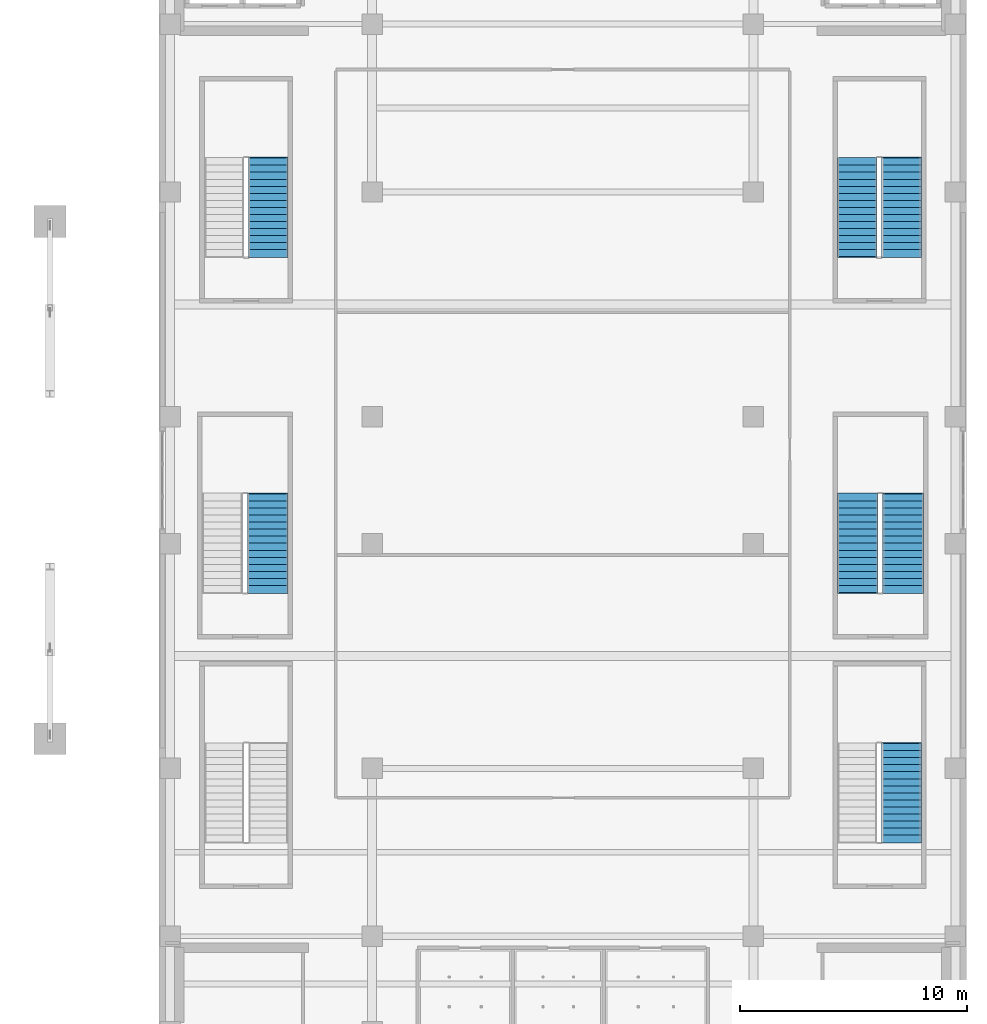
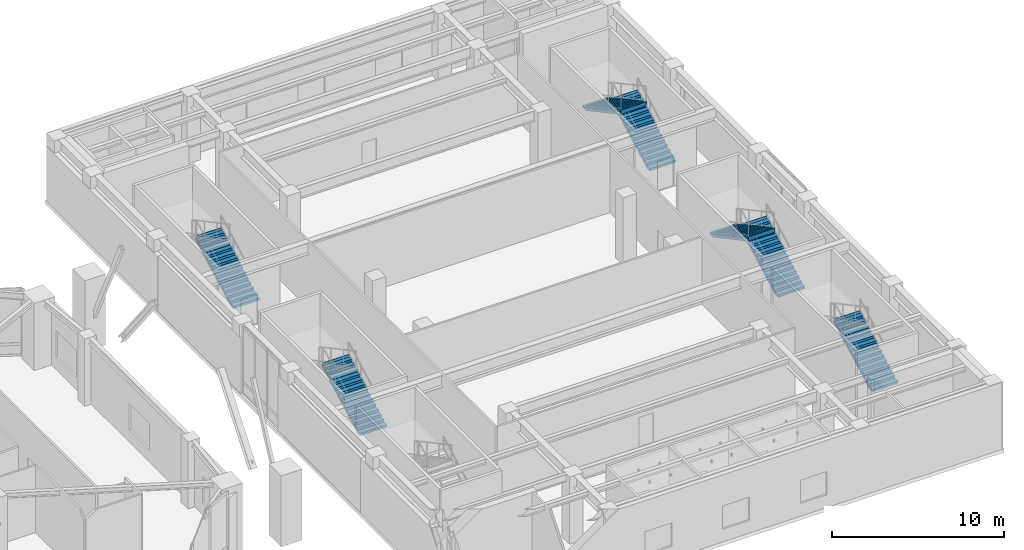
# One storey, part 20 of 24: 7 stair flights, 5 elements without a shape of their own.
"""IFC4 building model written with IfcOpenShell, lengths in metres."""

from ifc_helpers import new_model, si_unit, direction, frame, origin, place, context, subcontext, project, spatial, polyline, outline, extrude, material, type_object, element, aggregate, save


model = new_model("IFC4")

# Units and contexts
model_context = context("Model", 3, precision=1e-05, world=origin(), true_north=direction((0.0, 1.0)))
body_context = subcontext(model_context, "Body", "Model", "MODEL_VIEW")
ifc_project = project(units=[si_unit("LENGTHUNIT", "METRE"), si_unit("AREAUNIT", "SQUARE_METRE"), si_unit("VOLUMEUNIT", "CUBIC_METRE"), si_unit("PLANEANGLEUNIT", "RADIAN"), si_unit("MASSUNIT", "GRAM", prefix="KILO")], contexts=[model_context])

# Site, building, storey
site_placement = place(None, origin())
site = spatial("IfcSite", under=ifc_project, at=site_placement, CompositionType="ELEMENT")
building_placement = place(site_placement, origin())
building = spatial("IfcBuilding", under=site, at=building_placement, Name="Kolvaren Gate Tower and Convention Centre", CompositionType="ELEMENT")
storey_placement = place(building_placement, frame((0.0, 0.0, 10.0)))
storey = spatial("IfcBuildingStorey", under=building, at=storey_placement, Name="L02", CompositionType="ELEMENT", Elevation=10.0)

# Stair, stair flight
ifc_material = material(Name="Concrete C50/60", Category="concrete")
stair_type = type_object("IfcStairType", Name="STR-STAIR-CONV", PredefinedType="HALF_TURN_STAIR", material=ifc_material)
stair_1_placement = place(storey_placement, origin())
stair_1 = element("IfcStair", 1, at=stair_1_placement, inside=storey, type_object=stair_type, Name="L02 Convention NW Exit Stair ST-C1", PredefinedType="HALF_TURN_STAIR")
stair_flight_type = type_object("IfcStairFlightType", Name="STR-SFL-1750", PredefinedType="STRAIGHT", material=ifc_material)
stair_flight_1_placement = place(storey_placement, frame((67.02490234375, 36.85009765625, 0.0), z_axis=(0.0, 0.0, 1.0), x_axis=(0.0, 1.0, 0.0)))
stair_flight_1 = element("IfcStairFlight", 2, at=stair_flight_1_placement, type_object=stair_flight_type, Name="ST-C1 flight 1", NumberOfRisers=15, NumberOfTreads=14, PredefinedType="STRAIGHT", RiserHeight=0.166666667, TreadLength=0.31, context=body_context, shape_type="SweptSolid", body=[
    extrude(outline(polyline([(-0.034912109375, 0.0), (-0.034912109375, 0.166748046875), (0.31005859375, 0.166748046875), (0.31005859375, 0.333251953125), (0.6201171875, 0.333251953125), (0.6201171875, 0.5), (0.929931640625, 0.5), (0.929931640625, 0.666748046875), (1.239990234375, 0.666748046875), (1.239990234375, 0.833251953125), (1.550048828125, 0.833251953125), (1.550048828125, 1.0), (1.860107421875, 1.0), (1.860107421875, 1.166748046875), (2.169921875, 1.166748046875), (2.169921875, 1.333251953125), (2.47998046875, 1.333251953125), (2.47998046875, 1.5), (2.7900390625, 1.5), (2.7900390625, 1.666748046875), (3.10009765625, 1.666748046875), (3.10009765625, 1.833251953125), (3.409912109375, 1.833251953125), (3.409912109375, 2.0), (3.719970703125, 2.0), (3.719970703125, 2.166748046875), (4.030029296875, 2.166748046875), (4.030029296875, 2.333251953125), (4.340087890625, 2.333251953125), (4.340087890625, 2.5), (4.385009765625, 2.5), (4.385009765625, 2.340087890625), (4.340087890625, 2.1630859375), (0.316650390625, 0.0), (-0.034912109375, 0.0)])), frame((0.0, 0.875, 0.0), z_axis=(0.0, -1.0, 0.0), x_axis=(1.0, 0.0, 0.0)), (0.0, 0.0, 1.0), 1.75),
])
aggregate(stair_1, [stair_flight_1])

# Stair, stair flights
stair_2_placement = place(storey_placement, origin())
stair_2 = element("IfcStair", 3, at=stair_2_placement, inside=storey, type_object=stair_type, Name="L02 Convention NE Exit Stair ST-C3", PredefinedType="HALF_TURN_STAIR")
stair_flight_2_placement = place(storey_placement, frame((94.925048828125, 36.85009765625, 0.0), z_axis=(0.0, 0.0, 1.0), x_axis=(0.0, 1.0, 0.0)))
stair_flight_2 = element("IfcStairFlight", 4, at=stair_flight_2_placement, type_object=stair_flight_type, Name="ST-C3 flight 1", NumberOfRisers=15, NumberOfTreads=14, PredefinedType="STRAIGHT", RiserHeight=0.166666667, TreadLength=0.31, context=body_context, shape_type="SweptSolid", body=[
    extrude(outline(polyline([(-0.034912109375, 0.0), (-0.034912109375, 0.166748046875), (0.31005859375, 0.166748046875), (0.31005859375, 0.333251953125), (0.6201171875, 0.333251953125), (0.6201171875, 0.5), (0.929931640625, 0.5), (0.929931640625, 0.666748046875), (1.239990234375, 0.666748046875), (1.239990234375, 0.833251953125), (1.550048828125, 0.833251953125), (1.550048828125, 1.0), (1.860107421875, 1.0), (1.860107421875, 1.166748046875), (2.169921875, 1.166748046875), (2.169921875, 1.333251953125), (2.47998046875, 1.333251953125), (2.47998046875, 1.5), (2.7900390625, 1.5), (2.7900390625, 1.666748046875), (3.10009765625, 1.666748046875), (3.10009765625, 1.833251953125), (3.409912109375, 1.833251953125), (3.409912109375, 2.0), (3.719970703125, 2.0), (3.719970703125, 2.166748046875), (4.030029296875, 2.166748046875), (4.030029296875, 2.333251953125), (4.340087890625, 2.333251953125), (4.340087890625, 2.5), (4.385009765625, 2.5), (4.385009765625, 2.340087890625), (4.340087890625, 2.1630859375), (0.316650390625, 0.0), (-0.034912109375, 0.0)])), frame((0.0, 0.875, 0.0), z_axis=(0.0, -1.0, 0.0), x_axis=(1.0, 0.0, 0.0)), (0.0, 0.0, 1.0), 1.75),
])
stair_flight_3_placement = place(storey_placement, frame((92.97509765625, 41.18994140625, 2.5), z_axis=(0.0, 0.0, 1.0), x_axis=(0.0, -1.0, 0.0)))
stair_flight_3 = element("IfcStairFlight", 5, at=stair_flight_3_placement, type_object=stair_flight_type, Name="ST-C3 flight 2", NumberOfRisers=15, NumberOfTreads=14, PredefinedType="STRAIGHT", RiserHeight=0.166666667, TreadLength=0.31, context=body_context, shape_type="SweptSolid", body=[
    extrude(outline(polyline([(-0.034912109375, 0.0), (-0.034912109375, 0.166748046875), (0.31005859375, 0.166748046875), (0.31005859375, 0.333251953125), (0.6201171875, 0.333251953125), (0.6201171875, 0.5), (0.929931640625, 0.5), (0.929931640625, 0.666748046875), (1.239990234375, 0.666748046875), (1.239990234375, 0.833251953125), (1.550048828125, 0.833251953125), (1.550048828125, 1.0), (1.860107421875, 1.0), (1.860107421875, 1.166748046875), (2.169921875, 1.166748046875), (2.169921875, 1.333251953125), (2.47998046875, 1.333251953125), (2.47998046875, 1.5), (2.7900390625, 1.5), (2.7900390625, 1.666748046875), (3.10009765625, 1.666748046875), (3.10009765625, 1.833251953125), (3.409912109375, 1.833251953125), (3.409912109375, 2.0), (3.719970703125, 2.0), (3.719970703125, 2.166748046875), (4.030029296875, 2.166748046875), (4.030029296875, 2.333251953125), (4.340087890625, 2.333251953125), (4.340087890625, 2.5), (4.385009765625, 2.5), (4.385009765625, 2.340087890625), (4.340087890625, 2.1630859375), (0.316650390625, 0.0), (-0.034912109375, 0.0)])), frame((0.0, 0.875, 0.0), z_axis=(0.0, -1.0, 0.0), x_axis=(1.0, 0.0, 0.0)), (0.0, 0.0, 1.0), 1.75),
])
aggregate(stair_2, [stair_flight_2, stair_flight_3])

# Stair, stair flight
stair_3_placement = place(storey_placement, origin())
stair_3 = element("IfcStair", 6, at=stair_3_placement, inside=storey, type_object=stair_type, Name="L02 Convention SE Exit Stair ST-C4", PredefinedType="HALF_TURN_STAIR")
stair_flight_4_placement = place(storey_placement, frame((94.925048828125, 11.050048828125, 0.0), z_axis=(0.0, 0.0, 1.0), x_axis=(0.0, 1.0, 0.0)))
stair_flight_4 = element("IfcStairFlight", 7, at=stair_flight_4_placement, type_object=stair_flight_type, Name="ST-C4 flight 1", NumberOfRisers=15, NumberOfTreads=14, PredefinedType="STRAIGHT", RiserHeight=0.166666667, TreadLength=0.31, context=body_context, shape_type="SweptSolid", body=[
    extrude(outline(polyline([(-0.034912109375, 0.0), (-0.034912109375, 0.166748046875), (0.31005859375, 0.166748046875), (0.31005859375, 0.333251953125), (0.6201171875, 0.333251953125), (0.6201171875, 0.5), (0.929931640625, 0.5), (0.929931640625, 0.666748046875), (1.239990234375, 0.666748046875), (1.239990234375, 0.833251953125), (1.550048828125, 0.833251953125), (1.550048828125, 1.0), (1.860107421875, 1.0), (1.860107421875, 1.166748046875), (2.169921875, 1.166748046875), (2.169921875, 1.333251953125), (2.47998046875, 1.333251953125), (2.47998046875, 1.5), (2.7900390625, 1.5), (2.7900390625, 1.666748046875), (3.10009765625, 1.666748046875), (3.10009765625, 1.833251953125), (3.409912109375, 1.833251953125), (3.409912109375, 2.0), (3.719970703125, 2.0), (3.719970703125, 2.166748046875), (4.030029296875, 2.166748046875), (4.030029296875, 2.333251953125), (4.340087890625, 2.333251953125), (4.340087890625, 2.5), (4.385009765625, 2.5), (4.385009765625, 2.340087890625), (4.340087890625, 2.1630859375), (0.316650390625, 0.0), (-0.034912109375, 0.0)])), frame((0.0, 0.875, 0.0), z_axis=(0.0, -1.0, 0.0), x_axis=(1.0, 0.0, 0.0)), (0.0, 0.0, 1.0), 1.75),
])
aggregate(stair_3, [stair_flight_4])

stair_4_placement = place(storey_placement, origin())
stair_4 = element("IfcStair", 8, at=stair_4_placement, inside=storey, type_object=stair_type, Name="L02 Convention West Assembly Stair ST-C5", PredefinedType="HALF_TURN_STAIR")
stair_flight_5_placement = place(storey_placement, frame((67.0, 22.050048828125, 0.0), z_axis=(0.0, 0.0, 1.0), x_axis=(0.0, 1.0, 0.0)))
stair_flight_5 = element("IfcStairFlight", 9, at=stair_flight_5_placement, type_object=stair_flight_type, Name="ST-C5 flight 1", NumberOfRisers=15, NumberOfTreads=14, PredefinedType="STRAIGHT", RiserHeight=0.166666667, TreadLength=0.31, context=body_context, shape_type="SweptSolid", body=[
    extrude(outline(polyline([(-0.034912109375, 0.0), (-0.034912109375, 0.166748046875), (0.31005859375, 0.166748046875), (0.31005859375, 0.333251953125), (0.6201171875, 0.333251953125), (0.6201171875, 0.5), (0.929931640625, 0.5), (0.929931640625, 0.666748046875), (1.239990234375, 0.666748046875), (1.239990234375, 0.833251953125), (1.550048828125, 0.833251953125), (1.550048828125, 1.0), (1.860107421875, 1.0), (1.860107421875, 1.166748046875), (2.169921875, 1.166748046875), (2.169921875, 1.333251953125), (2.47998046875, 1.333251953125), (2.47998046875, 1.5), (2.7900390625, 1.5), (2.7900390625, 1.666748046875), (3.10009765625, 1.666748046875), (3.10009765625, 1.833251953125), (3.409912109375, 1.833251953125), (3.409912109375, 2.0), (3.719970703125, 2.0), (3.719970703125, 2.166748046875), (4.030029296875, 2.166748046875), (4.030029296875, 2.333251953125), (4.340087890625, 2.333251953125), (4.340087890625, 2.5), (4.385009765625, 2.5), (4.385009765625, 2.340087890625), (4.340087890625, 2.1630859375), (0.316650390625, 0.0), (-0.034912109375, 0.0)])), frame((0.0, 0.89990234375, 0.0), z_axis=(0.0, -1.0, 0.0), x_axis=(1.0, 0.0, 0.0)), (0.0, 0.0, 1.0), 1.800048828125),
])
aggregate(stair_4, [stair_flight_5])

# Stair, stair flights
stair_5_placement = place(storey_placement, origin())
stair_5 = element("IfcStair", 10, at=stair_5_placement, inside=storey, type_object=stair_type, Name="L02 Convention East Assembly Stair ST-C6", PredefinedType="HALF_TURN_STAIR")
stair_flight_6_placement = place(storey_placement, frame((95.0, 22.050048828125, 0.0), z_axis=(0.0, 0.0, 1.0), x_axis=(0.0, 1.0, 0.0)))
stair_flight_6 = element("IfcStairFlight", 11, at=stair_flight_6_placement, type_object=stair_flight_type, Name="ST-C6 flight 1", NumberOfRisers=15, NumberOfTreads=14, PredefinedType="STRAIGHT", RiserHeight=0.166666667, TreadLength=0.31, context=body_context, shape_type="SweptSolid", body=[
    extrude(outline(polyline([(-0.034912109375, 0.0), (-0.034912109375, 0.166748046875), (0.31005859375, 0.166748046875), (0.31005859375, 0.333251953125), (0.6201171875, 0.333251953125), (0.6201171875, 0.5), (0.929931640625, 0.5), (0.929931640625, 0.666748046875), (1.239990234375, 0.666748046875), (1.239990234375, 0.833251953125), (1.550048828125, 0.833251953125), (1.550048828125, 1.0), (1.860107421875, 1.0), (1.860107421875, 1.166748046875), (2.169921875, 1.166748046875), (2.169921875, 1.333251953125), (2.47998046875, 1.333251953125), (2.47998046875, 1.5), (2.7900390625, 1.5), (2.7900390625, 1.666748046875), (3.10009765625, 1.666748046875), (3.10009765625, 1.833251953125), (3.409912109375, 1.833251953125), (3.409912109375, 2.0), (3.719970703125, 2.0), (3.719970703125, 2.166748046875), (4.030029296875, 2.166748046875), (4.030029296875, 2.333251953125), (4.340087890625, 2.333251953125), (4.340087890625, 2.5), (4.385009765625, 2.5), (4.385009765625, 2.340087890625), (4.340087890625, 2.1630859375), (0.316650390625, 0.0), (-0.034912109375, 0.0)])), frame((0.0, 0.89990234375, 0.0), z_axis=(0.0, -1.0, 0.0), x_axis=(1.0, 0.0, 0.0)), (0.0, 0.0, 1.0), 1.800048828125),
])
stair_flight_7_placement = place(storey_placement, frame((93.0, 26.389892578125, 2.5), z_axis=(0.0, 0.0, 1.0), x_axis=(0.0, -1.0, 0.0)))
stair_flight_7 = element("IfcStairFlight", 12, at=stair_flight_7_placement, type_object=stair_flight_type, Name="ST-C6 flight 2", NumberOfRisers=15, NumberOfTreads=14, PredefinedType="STRAIGHT", RiserHeight=0.166666667, TreadLength=0.31, context=body_context, shape_type="SweptSolid", body=[
    extrude(outline(polyline([(-0.034912109375, 0.0), (-0.034912109375, 0.166748046875), (0.31005859375, 0.166748046875), (0.31005859375, 0.333251953125), (0.6201171875, 0.333251953125), (0.6201171875, 0.5), (0.929931640625, 0.5), (0.929931640625, 0.666748046875), (1.239990234375, 0.666748046875), (1.239990234375, 0.833251953125), (1.550048828125, 0.833251953125), (1.550048828125, 1.0), (1.860107421875, 1.0), (1.860107421875, 1.166748046875), (2.169921875, 1.166748046875), (2.169921875, 1.333251953125), (2.47998046875, 1.333251953125), (2.47998046875, 1.5), (2.7900390625, 1.5), (2.7900390625, 1.666748046875), (3.10009765625, 1.666748046875), (3.10009765625, 1.833251953125), (3.409912109375, 1.833251953125), (3.409912109375, 2.0), (3.719970703125, 2.0), (3.719970703125, 2.166748046875), (4.030029296875, 2.166748046875), (4.030029296875, 2.333251953125), (4.340087890625, 2.333251953125), (4.340087890625, 2.5), (4.385009765625, 2.5), (4.385009765625, 2.340087890625), (4.340087890625, 2.1630859375), (0.316650390625, 0.0), (-0.034912109375, 0.0)])), frame((0.0, 0.89990234375, 0.0), z_axis=(0.0, -1.0, 0.0), x_axis=(1.0, 0.0, 0.0)), (0.0, 0.0, 1.0), 1.800048828125),
])
aggregate(stair_5, [stair_flight_6, stair_flight_7])

save(model, "model.ifc")
